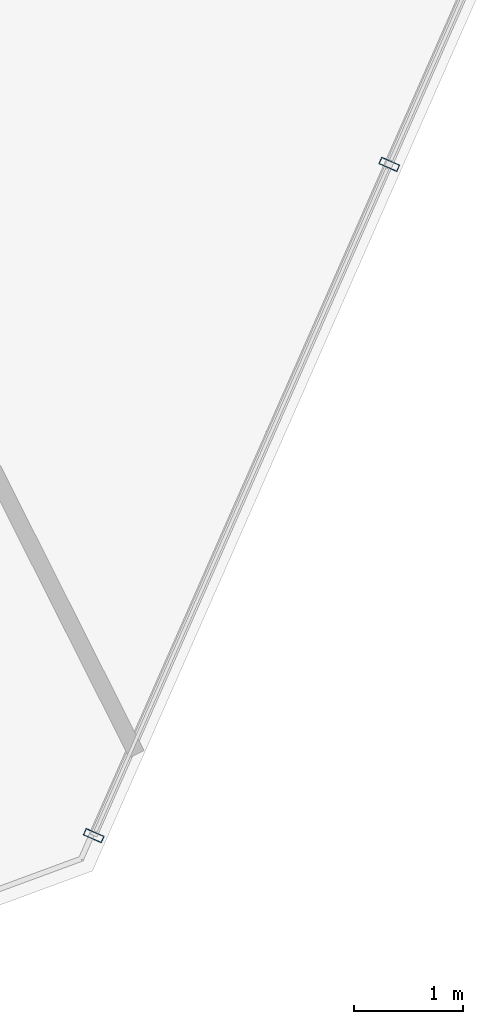
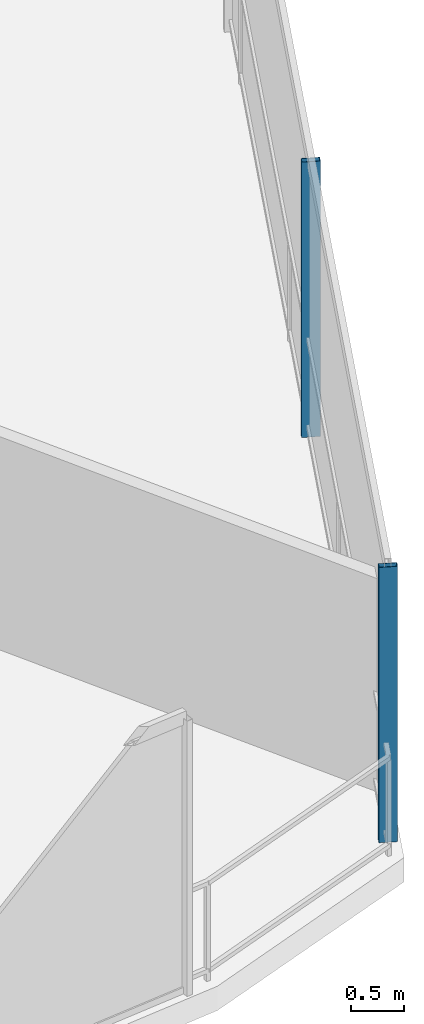
# One storey, part 10 of 30: 2 members, 1 element without a shape of its own.
"""IFC4 building model written with IfcOpenShell, lengths in metres."""

import ifcopenshell
import ifcopenshell.guid

model = None  # the IFC model being written
_history = None  # IfcOwnerHistory: only IFC2X3 demands one
_inside = {}  # id of a spatial element -> (the spatial element, [elements in it])
_under = {}  # id of a project, library or spatial element -> (it, [spatial elements below it])
_declared = {}  # id of a project -> (the project, [libraries it declares])
_typed = {}  # id of a type object -> (the type object, [elements of that type])
_made_of = {}  # id of a material, layer set ... -> (it, [elements and type objects made of it])


def new_model(schema):
    """Start an empty IFC model of exactly this schema.

    Asked for "IFC4X3", IfcOpenShell would pick the latest addendum, in which some entities
    have other attributes; the version numbers below select the first issue.
    IFC2X3 requires an IfcOwnerHistory on every rooted entity: one is made here for all.
    """
    global model, _history
    if schema == "IFC4X3":
        model = ifcopenshell.file(schema_version=(4, 3, 0, 0))
    else:
        model = ifcopenshell.file(schema=schema)
    _inside.clear()
    _under.clear()
    _declared.clear()
    _typed.clear()
    _made_of.clear()
    _history = None
    if model.schema == "IFC2X3":
        org = make("IfcOrganization", Name="unknown")
        user = make(
            "IfcPersonAndOrganization",
            ThePerson=make("IfcPerson", FamilyName="unknown"),
            TheOrganization=org,
        )
        app = make(
            "IfcApplication",
            ApplicationDeveloper=org,
            Version="unknown",
            ApplicationFullName="unknown",
            ApplicationIdentifier="unknown",
        )
        _history = make(
            "IfcOwnerHistory",
            OwningUser=user,
            OwningApplication=app,
            ChangeAction="ADDED",
            CreationDate=0,
        )
    return model


def make(cls, **values):
    """One entity of the class cls with the attributes given. An attribute that is None is left unset."""
    return model.create_entity(
        cls, **{name: value for name, value in values.items() if value is not None}
    )


def rooted(cls, **values):
    """An entity with a GlobalId (a new one), such as an element, a storey or a relation."""
    return make(cls, GlobalId=ifcopenshell.guid.new(), OwnerHistory=_history, **values)


def si_unit(unit_type, name, prefix=None):
    """IfcSIUnit, for example si_unit("LENGTHUNIT", "METRE", prefix="MILLI")."""
    return make("IfcSIUnit", UnitType=unit_type, Prefix=prefix, Name=name)


def assignment(units):
    """IfcUnitAssignment: the units of a project."""
    return None if units is None else make("IfcUnitAssignment", Units=units)


def point(xyz):
    """IfcCartesianPoint."""
    return None if xyz is None else make("IfcCartesianPoint", Coordinates=xyz)


def direction(xyz):
    """IfcDirection."""
    return None if xyz is None else make("IfcDirection", DirectionRatios=xyz)


def frame(location, z_axis=None, x_axis=None):
    """IfcAxis2Placement3D, a coordinate frame: its origin and axes. An axis left out is left unset."""
    return make(
        "IfcAxis2Placement3D",
        Location=point(location),
        Axis=direction(z_axis),
        RefDirection=direction(x_axis),
    )


def frame_2d(location, x_axis=None):
    """IfcAxis2Placement2D, a coordinate frame in the plane: its origin and x axis."""
    return make(
        "IfcAxis2Placement2D", Location=point(location), RefDirection=direction(x_axis)
    )


def origin():
    """The frame at (0, 0, 0) with its axes left unset."""
    return frame((0.0, 0.0, 0.0))


def origin_2d():
    """The frame at (0, 0) in the plane with its x axis left unset."""
    return frame_2d((0.0, 0.0))


def place(relative_to, where):
    """IfcLocalPlacement: puts the frame where relative to a parent placement (None: the world)."""
    return make(
        "IfcLocalPlacement", PlacementRelTo=relative_to, RelativePlacement=where
    )


def context(
    kind, dimensions, precision=None, world=None, true_north=None, identifier=None
):
    """IfcGeometricRepresentationContext, for example the 3D "Model" context."""
    return make(
        "IfcGeometricRepresentationContext",
        ContextIdentifier=identifier,
        ContextType=kind,
        CoordinateSpaceDimension=dimensions,
        Precision=precision,
        WorldCoordinateSystem=world,
        TrueNorth=true_north,
    )


def subcontext(parent, identifier, kind, view, scale=None):
    """IfcGeometricRepresentationSubContext, for example "Body" below "Model"."""
    return make(
        "IfcGeometricRepresentationSubContext",
        ContextIdentifier=identifier,
        ContextType=kind,
        ParentContext=parent,
        TargetScale=scale,
        TargetView=view,
    )


def project(units=None, contexts=None):
    """IfcProject with its units and contexts."""
    return rooted(
        "IfcProject",
        Name="project",
        RepresentationContexts=contexts,
        UnitsInContext=assignment(units),
    )


def spatial(cls, under=None, at=None, **own):
    """A site, building, storey or space (cls), placed at a placement, below another one or the project."""
    s = rooted(cls, ObjectPlacement=at, **own)
    if under is not None:
        _under.setdefault(under.id(), (under, []))[1].append(s)
    return s


def profile(cls, at=None, kind="AREA", **sizes):
    """A parametric profile (cls). Its sizes go by their IFC names, for example OverallWidth=200.0."""
    return make(cls, ProfileType=kind, Position=at, **sizes)


def hollow_rectangle(**sizes):
    """IfcRectangleHollowProfileDef."""
    return profile("IfcRectangleHollowProfileDef", **sizes)


def extrude(swept, where, along, depth):
    """IfcExtrudedAreaSolid: the profile swept, set in the frame where, extruded along a direction by depth."""
    return make(
        "IfcExtrudedAreaSolid",
        SweptArea=swept,
        Position=where,
        ExtrudedDirection=direction(along),
        Depth=depth,
    )


def shape(context_of_items, identifier, shape_type, items):
    """IfcShapeRepresentation: the items that make up one representation, for example the "Body"."""
    return make(
        "IfcShapeRepresentation",
        ContextOfItems=context_of_items,
        RepresentationIdentifier=identifier,
        RepresentationType=shape_type,
        Items=items,
    )


def material(Name=None, Category=None):
    """IfcMaterial."""
    return make("IfcMaterial", Name=Name, Category=Category)


def layer(
    of_material, thickness, ventilated=None, Name=None, Category=None, Priority=None
):
    """IfcMaterialLayer: one layer of a wall or slab, of a material (None: an air gap)."""
    return make(
        "IfcMaterialLayer",
        Material=of_material,
        LayerThickness=thickness,
        IsVentilated=ventilated,
        Name=Name,
        Category=Category,
        Priority=Priority,
    )


def layer_set(layers, Name=None):
    """IfcMaterialLayerSet."""
    return make("IfcMaterialLayerSet", MaterialLayers=layers, LayerSetName=Name)


def material_profile(
    of_material, cross_section, Name=None, Category=None, Priority=None
):
    """IfcMaterialProfile: a cross section and its material."""
    return make(
        "IfcMaterialProfile",
        Name=Name,
        Material=of_material,
        Profile=cross_section,
        Priority=Priority,
        Category=Category,
    )


def profile_set(profiles, Name=None, composite=None):
    """IfcMaterialProfileSet."""
    return make(
        "IfcMaterialProfileSet",
        Name=Name,
        MaterialProfiles=profiles,
        CompositeProfile=composite,
    )


def made_of(thing, what):
    """Note that an element or type object is made of a material, layer set ...; save() writes the relation."""
    if what is not None:
        _made_of.setdefault(what.id(), (what, []))[1].append(thing)
    return thing


def type_object(cls, material=None, **own):
    """A type object (cls), such as IfcWallType, which elements share."""
    return made_of(rooted(cls, **own), material)


def element(
    cls,
    number,
    at=None,
    inside=None,
    cuts=None,
    type_object=None,
    material=None,
    context=None,
    identifier="Body",
    shape_type=None,
    held_by="IfcProductDefinitionShape",
    body=None,
    shapes=None,
    **own,
):
    """One element of the class cls, such as IfcWall. Its Tag is "e" and its number.

    at: its placement. inside: the storey or other place that contains it. cuts: it is an
    opening in that element (IfcRelVoidsElement). A single representation is given by context,
    identifier, shape_type and body (its items); several are given by shapes. held_by: the class
    of the entity that holds the representations. save() writes the other relations.
    """
    e = rooted(cls, Tag="e%d" % number, ObjectPlacement=at, **own)
    if body is not None:
        shapes = [shape(context, identifier, shape_type, body)]
    if shapes is not None:
        e.Representation = make(held_by, Representations=shapes)
    if inside is not None:
        _inside.setdefault(inside.id(), (inside, []))[1].append(e)
    if cuts is not None:
        rooted(
            "IfcRelVoidsElement", RelatingBuildingElement=cuts, RelatedOpeningElement=e
        )
    if type_object is not None:
        _typed.setdefault(type_object.id(), (type_object, []))[1].append(e)
    return made_of(e, material)


def aggregate(whole, parts):
    """IfcRelAggregates: a whole, such as a stair, and the parts it consists of."""
    return rooted("IfcRelAggregates", RelatingObject=whole, RelatedObjects=parts)


def save(model, path):
    """Write the relations noted so far, then the file.

    IfcRelAggregates (storeys below a building ...), IfcRelContainedInSpatialStructure (elements
    in a storey), IfcRelDefinesByType, IfcRelAssociatesMaterial and IfcRelDeclares: one each for
    every whole, place, type object, material and project.
    """
    for whole, parts in _under.values():
        aggregate(whole, parts)
    for where, things in _inside.values():
        rooted(
            "IfcRelContainedInSpatialStructure",
            RelatedElements=things,
            RelatingStructure=where,
        )
    for kind, things in _typed.values():
        rooted("IfcRelDefinesByType", RelatedObjects=things, RelatingType=kind)
    for what, things in _made_of.values():
        rooted("IfcRelAssociatesMaterial", RelatedObjects=things, RelatingMaterial=what)
    for by, libraries in _declared.values():
        rooted("IfcRelDeclares", RelatingContext=by, RelatedDefinitions=libraries)
    model.write(path)


model = new_model("IFC4")

# Units and contexts
model_context = context("Model", 3, precision=1e-05, world=origin(), true_north=direction((0.0, 1.0)))
body_context = subcontext(model_context, "Body", "Model", "MODEL_VIEW")
ifc_project = project(units=[si_unit("LENGTHUNIT", "METRE"), si_unit("AREAUNIT", "SQUARE_METRE"), si_unit("VOLUMEUNIT", "CUBIC_METRE"), si_unit("PLANEANGLEUNIT", "RADIAN"), si_unit("MASSUNIT", "GRAM", prefix="KILO")], contexts=[model_context])

# Site, building, storey
site_placement = place(None, origin())
site = spatial("IfcSite", under=ifc_project, at=site_placement, CompositionType="ELEMENT")
building_placement = place(site_placement, origin())
building = spatial("IfcBuilding", under=site, at=building_placement, Name="Qarnah Convention Tower", CompositionType="ELEMENT")
storey_placement = place(building_placement, frame((0.0, 0.0, 90.14990234375)))
storey = spatial("IfcBuildingStorey", under=building, at=storey_placement, Name="L23", CompositionType="ELEMENT", Elevation=90.14990234375)

# Curtain wall, members
ifc_material_1 = material(Name="Tempered Low-E dark glass", Category="glass")
ifc_layer = layer(ifc_material_1, 0.169921875)
ifc_layer_set = layer_set([ifc_layer], Name="Tempered Low-E dark glass")
curtain_wall_type = type_object("IfcCurtainWallType", Name="CWS-02", PredefinedType="NOTDEFINED", material=ifc_layer_set)
curtain_wall_placement = place(storey_placement, origin())
curtain_wall = element("IfcCurtainWall", 1, at=curtain_wall_placement, inside=storey, type_object=curtain_wall_type, Name="L23 unitised curtain wall CW-L23-F2", PredefinedType="NOTDEFINED")
ifc_material_2 = material(Name="Black anodised aluminium", Category="aluminium")
ifc_material_profile = material_profile(ifc_material_2, hollow_rectangle(XDim=0.06494140625, YDim=0.179931640625, WallThickness=0.00390625, at=origin_2d()), Name="MUL-65X180")
ifc_profile_set = profile_set([ifc_material_profile], Name="Black anodised aluminium")
member_type = type_object("IfcMemberType", Name="MUL-T2", PredefinedType="MULLION", material=ifc_profile_set)
member_1_placement = place(storey_placement, frame((50.536865234375, 9.592041015625, 0.0), z_axis=(0.0, 0.0, 1.0), x_axis=(-0.402913592041, -0.915238022237, 0.0)))
member_1 = element("IfcMember", 2, at=member_1_placement, type_object=member_type, Name="CW-L23-F2 mullion 5", PredefinedType="MULLION", context=body_context, shape_type="SweptSolid", body=[
    extrude(hollow_rectangle(XDim=0.06494140625, YDim=0.179931640625, WallThickness=0.00390625, at=origin_2d()), origin(), (0.0, 0.0, 1.0), 3.170166015625),
])
member_2_placement = place(storey_placement, frame((47.8359375, 3.45703125, 0.0), z_axis=(0.0, 0.0, 1.0), x_axis=(-0.402913592041, -0.915238022237, 0.0)))
member_2 = element("IfcMember", 3, at=member_2_placement, type_object=member_type, Name="CW-L23-F2 mullion 6", PredefinedType="MULLION", context=body_context, shape_type="SweptSolid", body=[
    extrude(hollow_rectangle(XDim=0.06494140625, YDim=0.179931640625, WallThickness=0.00390625, at=origin_2d()), origin(), (0.0, 0.0, 1.0), 3.170166015625),
])
aggregate(curtain_wall, [member_1, member_2])

save(model, "model.ifc")
